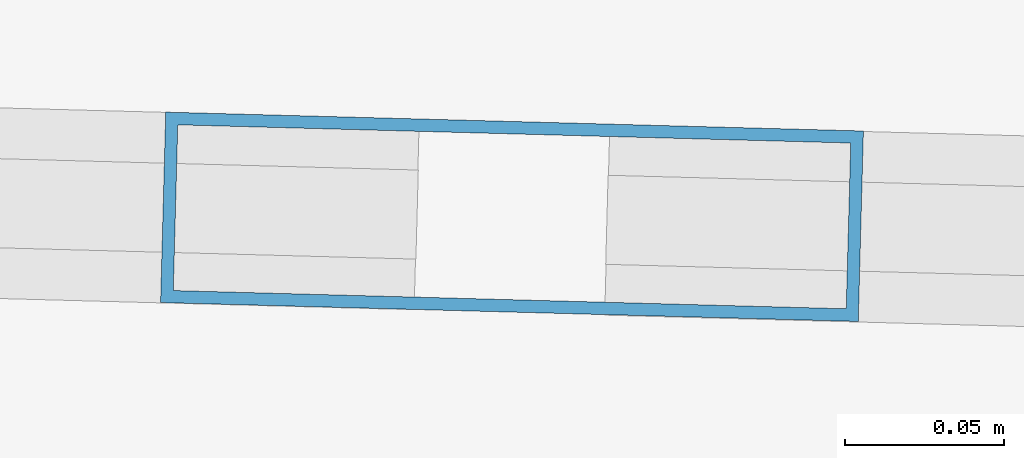
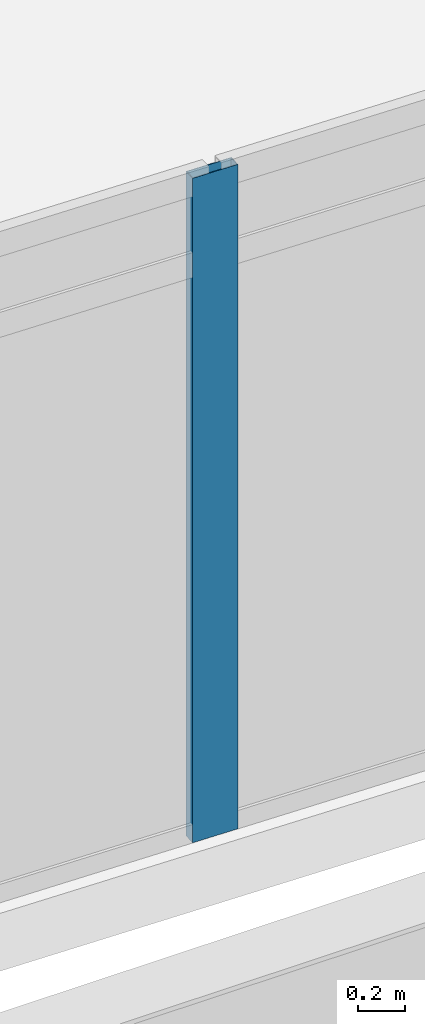
# One storey, part 5 of 28: 1 member, 1 element without a shape of its own.
"""IFC4 building model written with IfcOpenShell, lengths in metres."""

from ifc_helpers import new_model, si_unit, direction, frame, origin, origin_2d, place, context, subcontext, project, spatial, hollow_rectangle, extrude, material, material_profile, profile_set, type_object, element, aggregate, save


model = new_model("IFC4")

# Units and contexts
model_context = context("Model", 3, precision=1e-05, world=origin(), true_north=direction((0.0, 1.0)))
body_context = subcontext(model_context, "Body", "Model", "MODEL_VIEW")
ifc_project = project(units=[si_unit("LENGTHUNIT", "METRE"), si_unit("AREAUNIT", "SQUARE_METRE"), si_unit("VOLUMEUNIT", "CUBIC_METRE"), si_unit("PLANEANGLEUNIT", "RADIAN"), si_unit("MASSUNIT", "GRAM", prefix="KILO")], contexts=[model_context])

# Site, building, storey
site_placement = place(None, origin())
site = spatial("IfcSite", under=ifc_project, at=site_placement, CompositionType="ELEMENT")
building_placement = place(site_placement, origin())
building = spatial("IfcBuilding", under=site, at=building_placement, Name="Ostrander Bayou Hotel Tower", CompositionType="ELEMENT")
storey_placement = place(building_placement, frame((0.0, 0.0, 73.0)))
storey = spatial("IfcBuildingStorey", under=building, at=storey_placement, Name="L18", CompositionType="ELEMENT", Elevation=73.0)

# Curtain wall, member
ifc_material_1 = material(Name="Aluminium and clear glass", Category="aluminium")
curtain_wall_type = type_object("IfcCurtainWallType", Name="CW-BAR glazed wall", PredefinedType="NOTDEFINED", material=ifc_material_1)
curtain_wall_placement = place(storey_placement, origin())
curtain_wall = element("IfcCurtainWall", 1, at=curtain_wall_placement, inside=storey, type_object=curtain_wall_type, Name="CW-BAR L18:SB1S:T", PredefinedType="NOTDEFINED")
ifc_material_2 = material(Name="Aluminium", Category="aluminium")
ifc_material_profile = material_profile(ifc_material_2, hollow_rectangle(XDim=0.06005859375, YDim=0.219970703125, WallThickness=0.00390625, at=origin_2d()))
ifc_profile_set = profile_set([ifc_material_profile], Name="Aluminium")
member_type = type_object("IfcMemberType", Name="CW-BR mullion 60 x 220 mm", PredefinedType="MULLION", material=ifc_profile_set)
member_placement = place(storey_placement, frame((0.0, -32.449951171875, 0.0), z_axis=(0.0, 0.0, 1.0), x_axis=(0.027042484848, 0.999634285133, 0.0)))
member = element("IfcMember", 2, at=member_placement, type_object=member_type, Name="CW-BAR mullion 8", PredefinedType="MULLION", context=body_context, shape_type="SweptSolid", body=[
    extrude(hollow_rectangle(XDim=0.06005859375, YDim=0.219970703125, WallThickness=0.00390625, at=origin_2d()), origin(), (0.0, 0.0, 1.0), 3.449951171875),
])
aggregate(curtain_wall, [member])

save(model, "model.ifc")
